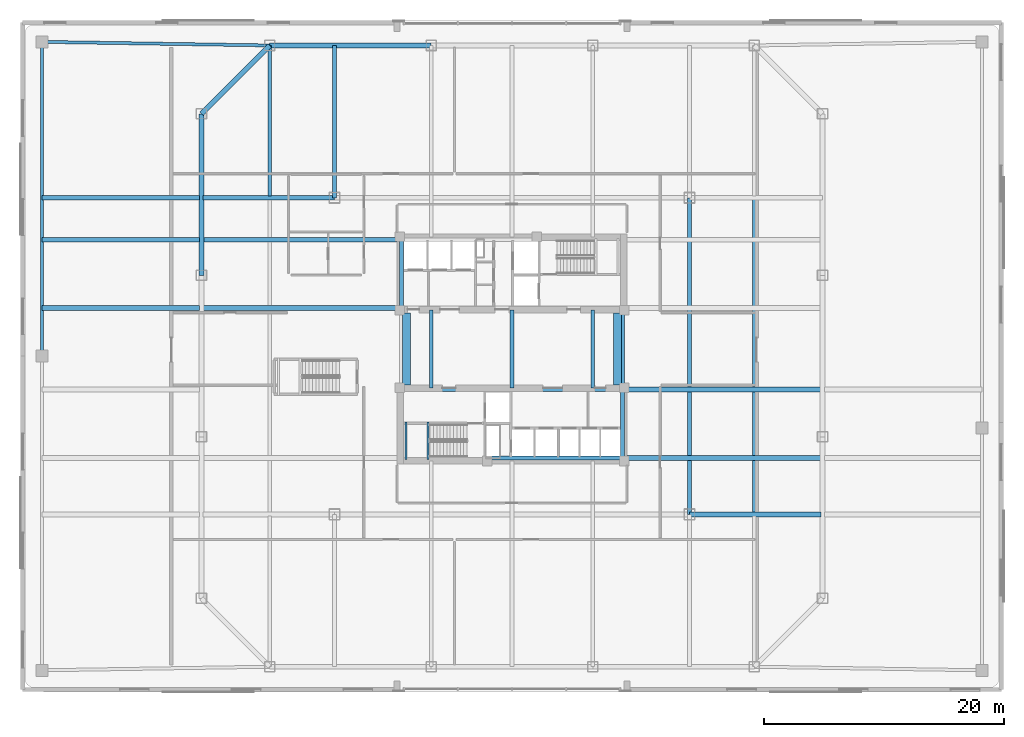
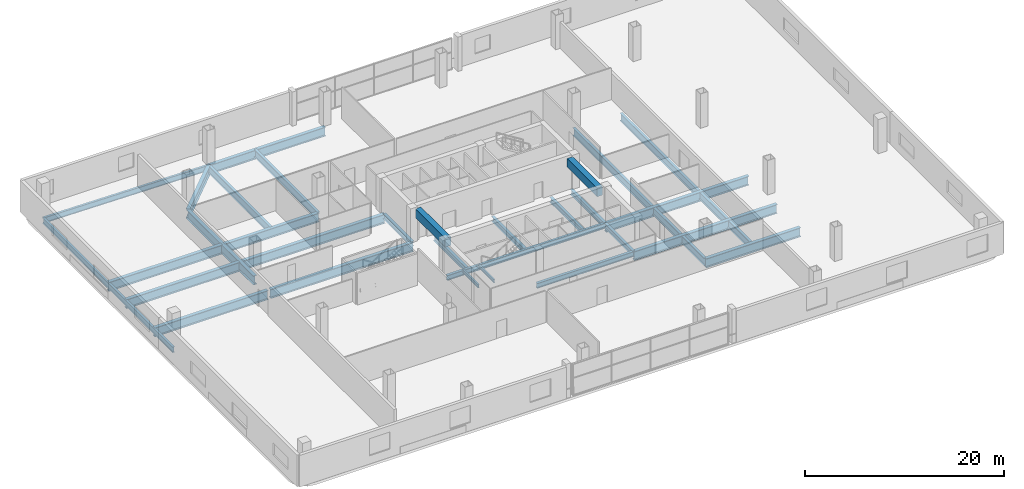
# One storey, part 7 of 21: 30 beams.
"""IFC4 building model written with IfcOpenShell, lengths in metres."""

from ifc_helpers import new_model, si_unit, direction, frame, origin, origin_2d, place, context, subcontext, project, spatial, rectangle, i_section, extrude, material, material_profile, profile_set, type_object, element, save


model = new_model("IFC4")

# Units and contexts
model_context = context("Model", 3, precision=1e-05, world=origin(), true_north=direction((0.0, 1.0)))
body_context = subcontext(model_context, "Body", "Model", "MODEL_VIEW")
ifc_project = project(units=[si_unit("LENGTHUNIT", "METRE"), si_unit("AREAUNIT", "SQUARE_METRE"), si_unit("VOLUMEUNIT", "CUBIC_METRE"), si_unit("PLANEANGLEUNIT", "RADIAN"), si_unit("MASSUNIT", "GRAM", prefix="KILO")], contexts=[model_context])

# Site, building, storey
site_placement = place(None, origin())
site = spatial("IfcSite", under=ifc_project, at=site_placement, CompositionType="ELEMENT")
building_placement = place(site_placement, origin())
building = spatial("IfcBuilding", under=site, at=building_placement, Name="Qhalaya Broadcast Tower", CompositionType="ELEMENT")
storey_placement = place(building_placement, frame((0.0, 0.0, 13.5)))
storey = spatial("IfcBuildingStorey", under=building, at=storey_placement, Name="L03", CompositionType="ELEMENT", Elevation=13.5)

# Beams
ifc_material_1 = material(Name="Structural Steel ASTM A992 Grade 50", Category="steel")
ifc_material_profile_1 = material_profile(ifc_material_1, i_section(OverallWidth=0.323974609375, OverallDepth=0.612060546875, WebThickness=0.0126953125, FlangeThickness=0.01904296875, at=origin_2d()), Name="W24X104")
ifc_profile_set_1 = profile_set([ifc_material_profile_1], Name="Structural Steel ASTM A992 Grade 50")
beam_type_1 = type_object("IfcBeamType", Name="Core Frame Tie Beam B04", PredefinedType="BEAM", material=ifc_profile_set_1)
beam_1_placement = place(storey_placement, frame((-9.199951171875, 4.0, -0.6259765625), z_axis=(0.0, 1.0, 0.0), x_axis=(-1.0, 0.0, 0.0)))
element("IfcBeam", 1, at=beam_1_placement, inside=storey, type_object=beam_type_1, Name="L03 B04 L03-CCN2", PredefinedType="BEAM", context=body_context, shape_type="SweptSolid", body=[
    extrude(i_section(OverallWidth=0.323974609375, OverallDepth=0.612060546875, WebThickness=0.0126953125, FlangeThickness=0.01904296875, at=origin_2d()), origin(), (0.0, 0.0, 1.0), 5.699951171875),
])
beam_2_placement = place(storey_placement, frame((-9.199951171875, -2.800048828125, -0.6259765625), z_axis=(1.0, 0.0, 0.0), x_axis=(0.0, 1.0, 0.0)))
element("IfcBeam", 2, at=beam_2_placement, inside=storey, type_object=beam_type_1, Name="L03 B04 L03-CCS1", PredefinedType="BEAM", context=body_context, shape_type="SweptSolid", body=[
    extrude(i_section(OverallWidth=0.323974609375, OverallDepth=0.612060546875, WebThickness=0.0126953125, FlangeThickness=0.01904296875, at=origin_2d()), origin(), (0.0, 0.0, 1.0), 18.39990234375),
])
beam_3_placement = place(storey_placement, frame((9.199951171875, -8.5, -0.6259765625), z_axis=(0.0, 1.0, 0.0), x_axis=(-1.0, 0.0, 0.0)))
element("IfcBeam", 3, at=beam_3_placement, inside=storey, type_object=beam_type_1, Name="L03 B04 L03-CCS2", PredefinedType="BEAM", context=body_context, shape_type="SweptSolid", body=[
    extrude(i_section(OverallWidth=0.323974609375, OverallDepth=0.612060546875, WebThickness=0.0126953125, FlangeThickness=0.01904296875, at=origin_2d()), origin(), (0.0, 0.0, 1.0), 5.699951171875),
])
beam_4_placement = place(storey_placement, frame((-2.050048828125, -8.5, -0.6259765625), z_axis=(1.0, 0.0, 0.0), x_axis=(0.0, 1.0, 0.0)))
element("IfcBeam", 4, at=beam_4_placement, inside=storey, type_object=beam_type_1, Name="L03 B04 L03-CCS3", PredefinedType="BEAM", context=body_context, shape_type="SweptSolid", body=[
    extrude(i_section(OverallWidth=0.323974609375, OverallDepth=0.612060546875, WebThickness=0.0126953125, FlangeThickness=0.01904296875, at=origin_2d()), origin(), (0.0, 0.0, 1.0), 11.25),
])
beam_5_placement = place(storey_placement, frame((9.199951171875, -2.800048828125, -0.6259765625), z_axis=(0.0, 1.0, 0.0), x_axis=(-1.0, 0.0, 0.0)))
element("IfcBeam", 5, at=beam_5_placement, inside=storey, type_object=beam_type_1, Name="L03 B04 L03-CCE", PredefinedType="BEAM", context=body_context, shape_type="SweptSolid", body=[
    extrude(i_section(OverallWidth=0.323974609375, OverallDepth=0.612060546875, WebThickness=0.0126953125, FlangeThickness=0.01904296875, at=origin_2d()), origin(), (0.0, 0.0, 1.0), 6.800048828125),
])
for number, where, z_axis, x_axis, name in (
    (6, (-6.7333984375, -2.64990234375, -0.6259765625), (0.0, 1.0, 0.0), (-1.0, 0.0, 0.0), "L03 B04 L03-JS-CM-6.7"),
    (7, (0.0, -2.64990234375, -0.6259765625), (0.0, 1.0, 0.0), (-1.0, 0.0, 0.0), "L03 B04 L03-JS-CM+0.0"),
    (8, (6.7333984375, -2.64990234375, -0.6259765625), (0.0, 1.0, 0.0), (-1.0, 0.0, 0.0), "L03 B04 L03-JS-CM+6.7"),
):
    element("IfcBeam", number, at=place(storey_placement, frame(where, z_axis=z_axis, x_axis=x_axis)), inside=storey, type_object=beam_type_1, Name=name, PredefinedType="BEAM", context=body_context, shape_type="SweptSolid", body=[
        extrude(i_section(OverallWidth=0.323974609375, OverallDepth=0.612060546875, WebThickness=0.0126953125, FlangeThickness=0.01904296875, at=origin_2d()), origin(), (0.0, 0.0, 1.0), 6.5),
    ])
ifc_material_profile_2 = material_profile(ifc_material_1, i_section(OverallWidth=0.306884765625, OverallDepth=0.927001953125, WebThickness=0.019287109375, FlangeThickness=0.031982421875, at=origin_2d()), Name="W36X194")
ifc_profile_set_2 = profile_set([ifc_material_profile_2], Name="Structural Steel ASTM A992 Grade 50")
beam_type_2 = type_object("IfcBeamType", Name="Heavy Studio Floor Beam B01", PredefinedType="BEAM", material=ifc_profile_set_2)
beam_6_placement = place(storey_placement, frame((-20.199951171875, 13.340087890625, -0.783447265625), z_axis=(0.0, 1.0, 0.0), x_axis=(-1.0, 0.0, 0.0)))
element("IfcBeam", 9, at=beam_6_placement, inside=storey, type_object=beam_type_2, Name="L03 B01 L03-JS-N-20.2", PredefinedType="BEAM", context=body_context, shape_type="SweptSolid", body=[
    extrude(i_section(OverallWidth=0.306884765625, OverallDepth=0.927001953125, WebThickness=0.019287109375, FlangeThickness=0.031982421875, at=origin_2d()), origin(), (0.0, 0.0, 1.0), 12.559814453125),
])
beam_7_placement = place(storey_placement, frame((-14.800048828125, 13.199951171875, -0.783447265625), z_axis=(0.0, 1.0, 0.0), x_axis=(-1.0, 0.0, 0.0)))
element("IfcBeam", 10, at=beam_7_placement, inside=storey, type_object=beam_type_2, Name="L03 B01 L03-JS-N-14.8", PredefinedType="BEAM", context=body_context, shape_type="SweptSolid", body=[
    extrude(i_section(OverallWidth=0.306884765625, OverallDepth=0.927001953125, WebThickness=0.019287109375, FlangeThickness=0.031982421875, at=origin_2d()), origin(), (0.0, 0.0, 1.0), 12.699951171875),
])
beam_8_placement = place(storey_placement, frame((14.800048828125, -13.199951171875, -0.783447265625), z_axis=(0.0, 1.0, 0.0), x_axis=(-1.0, 0.0, 0.0)))
element("IfcBeam", 11, at=beam_8_placement, inside=storey, type_object=beam_type_2, Name="L03 B01 L03-JS-M+14.8", PredefinedType="BEAM", context=body_context, shape_type="SweptSolid", body=[
    extrude(i_section(OverallWidth=0.306884765625, OverallDepth=0.927001953125, WebThickness=0.019287109375, FlangeThickness=0.031982421875, at=origin_2d()), origin(), (0.0, 0.0, 1.0), 26.39990234375),
])
beam_9_placement = place(storey_placement, frame((20.199951171875, -13.06005859375, -0.783447265625), z_axis=(0.0, 1.0, 0.0), x_axis=(-1.0, 0.0, 0.0)))
element("IfcBeam", 12, at=beam_9_placement, inside=storey, type_object=beam_type_2, Name="L03 B01 L03-JS-M+20.2", PredefinedType="BEAM", context=body_context, shape_type="SweptSolid", body=[
    extrude(i_section(OverallWidth=0.306884765625, OverallDepth=0.927001953125, WebThickness=0.019287109375, FlangeThickness=0.031982421875, at=origin_2d()), origin(), (0.0, 0.0, 1.0), 26.1201171875),
])
ifc_material_profile_3 = material_profile(ifc_material_1, i_section(OverallWidth=0.25390625, OverallDepth=0.68310546875, WebThickness=0.012451171875, FlangeThickness=0.01904296875, at=origin_2d()), Name="W27X94")
ifc_profile_set_3 = profile_set([ifc_material_profile_3], Name="Structural Steel ASTM A992 Grade 50")
beam_type_3 = type_object("IfcBeamType", Name="Perimeter Ring Spandrel Beam SP1", PredefinedType="SPANDREL", material=ifc_profile_set_3)
beam_10_placement = place(storey_placement, frame((-39.199951171875, 26.199951171875, -0.66162109375), z_axis=(0.999875328998, -0.015790074776, 0.0), x_axis=(0.015790074776, 0.999875328998, 0.0)))
element("IfcBeam", 13, at=beam_10_placement, inside=storey, type_object=beam_type_3, Name="L03 SP1 L03-SP-N1", PredefinedType="SPANDREL", context=body_context, shape_type="SweptSolid", body=[
    extrude(i_section(OverallWidth=0.25390625, OverallDepth=0.68310546875, WebThickness=0.012451171875, FlangeThickness=0.01904296875, at=origin_2d()), origin(), (0.0, 0.0, 1.0), 19.00244140625),
])
beam_11_placement = place(storey_placement, frame((-39.199951171875, 0.0, -0.66162109375), z_axis=(0.0, 1.0, 0.0), x_axis=(-1.0, 0.0, 0.0)))
element("IfcBeam", 14, at=beam_11_placement, inside=storey, type_object=beam_type_3, Name="L03 SP1 L03-SP-W2", PredefinedType="SPANDREL", context=body_context, shape_type="SweptSolid", body=[
    extrude(i_section(OverallWidth=0.25390625, OverallDepth=0.68310546875, WebThickness=0.012451171875, FlangeThickness=0.01904296875, at=origin_2d()), origin(), (0.0, 0.0, 1.0), 26.199951171875),
])
ifc_material_profile_4 = material_profile(ifc_material_1, i_section(OverallWidth=0.404052734375, OverallDepth=1.117919921875, WebThickness=0.026123046875, FlangeThickness=0.044921875, at=origin_2d()), Name="W44X335")
ifc_profile_set_4 = profile_set([ifc_material_profile_4], Name="Structural Steel ASTM A992 Grade 50")
beam_type_4 = type_object("IfcBeamType", Name="Podium Long-Span Primary Girder PG1", PredefinedType="USERDEFINED", material=ifc_profile_set_4)
beam_12_placement = place(storey_placement, frame((-6.7333984375, 25.89990234375, -0.87890625), z_axis=(-1.0, 0.0, 0.0), x_axis=(0.0, -1.0, 0.0)))
element("IfcBeam", 15, at=beam_12_placement, inside=storey, type_object=beam_type_4, Name="L03 PG1 L03-PG-R11", ObjectType="GIRDER", PredefinedType="USERDEFINED", context=body_context, shape_type="SweptSolid", body=[
    extrude(i_section(OverallWidth=0.404052734375, OverallDepth=1.117919921875, WebThickness=0.026123046875, FlangeThickness=0.044921875, at=origin_2d()), origin(), (0.0, 0.0, 1.0), 13.466552734375),
])
beam_13_placement = place(storey_placement, frame((-20.199951171875, 25.89990234375, -0.87890625), z_axis=(-0.707106781187, -0.707106781187, 0.0), x_axis=(0.707106781187, -0.707106781187, 0.0)))
element("IfcBeam", 16, at=beam_13_placement, inside=storey, type_object=beam_type_4, Name="L03 PG1 L03-PG-R12", ObjectType="GIRDER", PredefinedType="USERDEFINED", context=body_context, shape_type="SweptSolid", body=[
    extrude(i_section(OverallWidth=0.404052734375, OverallDepth=1.117919921875, WebThickness=0.026123046875, FlangeThickness=0.044921875, at=origin_2d()), origin(), (0.0, 0.0, 1.0), 8.06103515625),
])
beam_14_placement = place(storey_placement, frame((-25.89990234375, 20.199951171875, -0.87890625), z_axis=(0.0, -1.0, 0.0), x_axis=(1.0, 0.0, 0.0)))
element("IfcBeam", 17, at=beam_14_placement, inside=storey, type_object=beam_type_4, Name="L03 PG1 L03-PG-R13", ObjectType="GIRDER", PredefinedType="USERDEFINED", context=body_context, shape_type="SweptSolid", body=[
    extrude(i_section(OverallWidth=0.404052734375, OverallDepth=1.117919921875, WebThickness=0.026123046875, FlangeThickness=0.044921875, at=origin_2d()), origin(), (0.0, 0.0, 1.0), 13.466552734375),
])
beam_15_placement = place(storey_placement, frame((14.800048828125, -13.199951171875, -0.87890625), z_axis=(1.0, 0.0, 0.0), x_axis=(0.0, 1.0, 0.0)))
element("IfcBeam", 18, at=beam_15_placement, inside=storey, type_object=beam_type_4, Name="L03 PG1 L03-PG-GS4", ObjectType="GIRDER", PredefinedType="USERDEFINED", context=body_context, shape_type="SweptSolid", body=[
    extrude(i_section(OverallWidth=0.404052734375, OverallDepth=1.117919921875, WebThickness=0.026123046875, FlangeThickness=0.044921875, at=origin_2d()), origin(), (0.0, 0.0, 1.0), 10.9599609375),
])
beam_16_placement = place(storey_placement, frame((-39.199951171875, 13.199951171875, -0.87890625), z_axis=(1.0, 0.0, 0.0), x_axis=(0.0, 1.0, 0.0)))
element("IfcBeam", 19, at=beam_16_placement, inside=storey, type_object=beam_type_4, Name="L03 PG1 L03-PG-GN1", ObjectType="GIRDER", PredefinedType="USERDEFINED", context=body_context, shape_type="SweptSolid", body=[
    extrude(i_section(OverallWidth=0.404052734375, OverallDepth=1.117919921875, WebThickness=0.026123046875, FlangeThickness=0.044921875, at=origin_2d()), origin(), (0.0, 0.0, 1.0), 13.159912109375),
])
beam_17_placement = place(storey_placement, frame((-25.760009765625, 13.199951171875, -0.87890625), z_axis=(1.0, 0.0, 0.0), x_axis=(0.0, 1.0, 0.0)))
element("IfcBeam", 20, at=beam_17_placement, inside=storey, type_object=beam_type_4, Name="L03 PG1 L03-PG-GN2", ObjectType="GIRDER", PredefinedType="USERDEFINED", context=body_context, shape_type="SweptSolid", body=[
    extrude(i_section(OverallWidth=0.404052734375, OverallDepth=1.117919921875, WebThickness=0.026123046875, FlangeThickness=0.044921875, at=origin_2d()), origin(), (0.0, 0.0, 1.0), 10.9599609375),
])
for number, where, z_axis, x_axis, name in (
    (21, (9.199951171875, -8.5, -0.87890625), (1.0, 0.0, 0.0), (0.0, 1.0, 0.0), "L03 PG1 L03-PG-E1A"),
    (22, (9.199951171875, -2.800048828125, -0.87890625), (1.0, 0.0, 0.0), (0.0, 1.0, 0.0), "L03 PG1 L03-PG-E2A"),
):
    element("IfcBeam", number, at=place(storey_placement, frame(where, z_axis=z_axis, x_axis=x_axis)), inside=storey, type_object=beam_type_4, Name=name, ObjectType="GIRDER", PredefinedType="USERDEFINED", context=body_context, shape_type="SweptSolid", body=[
        extrude(i_section(OverallWidth=0.404052734375, OverallDepth=1.117919921875, WebThickness=0.026123046875, FlangeThickness=0.044921875, at=origin_2d()), origin(), (0.0, 0.0, 1.0), 16.56005859375),
    ])
beam_18_placement = place(storey_placement, frame((-39.199951171875, 4.0, -0.87890625), z_axis=(1.0, 0.0, 0.0), x_axis=(0.0, 1.0, 0.0)))
element("IfcBeam", 23, at=beam_18_placement, inside=storey, type_object=beam_type_4, Name="L03 PG1 L03-PG-W3A", ObjectType="GIRDER", PredefinedType="USERDEFINED", context=body_context, shape_type="SweptSolid", body=[
    extrude(i_section(OverallWidth=0.404052734375, OverallDepth=1.117919921875, WebThickness=0.026123046875, FlangeThickness=0.044921875, at=origin_2d()), origin(), (0.0, 0.0, 1.0), 13.159912109375),
])
beam_19_placement = place(storey_placement, frame((-25.760009765625, 4.0, -0.87890625), z_axis=(1.0, 0.0, 0.0), x_axis=(0.0, 1.0, 0.0)))
element("IfcBeam", 24, at=beam_19_placement, inside=storey, type_object=beam_type_4, Name="L03 PG1 L03-PG-W3B", ObjectType="GIRDER", PredefinedType="USERDEFINED", context=body_context, shape_type="SweptSolid", body=[
    extrude(i_section(OverallWidth=0.404052734375, OverallDepth=1.117919921875, WebThickness=0.026123046875, FlangeThickness=0.044921875, at=origin_2d()), origin(), (0.0, 0.0, 1.0), 16.56005859375),
])
beam_20_placement = place(storey_placement, frame((-39.199951171875, 9.699951171875, -0.87890625), z_axis=(1.0, 0.0, 0.0), x_axis=(0.0, 1.0, 0.0)))
element("IfcBeam", 25, at=beam_20_placement, inside=storey, type_object=beam_type_4, Name="L03 PG1 L03-PG-W4A", ObjectType="GIRDER", PredefinedType="USERDEFINED", context=body_context, shape_type="SweptSolid", body=[
    extrude(i_section(OverallWidth=0.404052734375, OverallDepth=1.117919921875, WebThickness=0.026123046875, FlangeThickness=0.044921875, at=origin_2d()), origin(), (0.0, 0.0, 1.0), 13.159912109375),
])
beam_21_placement = place(storey_placement, frame((-25.760009765625, 9.699951171875, -0.87890625), z_axis=(1.0, 0.0, 0.0), x_axis=(0.0, 1.0, 0.0)))
element("IfcBeam", 26, at=beam_21_placement, inside=storey, type_object=beam_type_4, Name="L03 PG1 L03-PG-W4B", ObjectType="GIRDER", PredefinedType="USERDEFINED", context=body_context, shape_type="SweptSolid", body=[
    extrude(i_section(OverallWidth=0.404052734375, OverallDepth=1.117919921875, WebThickness=0.026123046875, FlangeThickness=0.044921875, at=origin_2d()), origin(), (0.0, 0.0, 1.0), 16.56005859375),
])
ifc_material_2 = material(Name="Concrete C60/75", Category="concrete")
ifc_material_profile_5 = material_profile(ifc_material_2, rectangle(XDim=0.64990234375, YDim=1.050048828125, at=origin_2d()), Name="RC-CB 650x1050")
ifc_profile_set_5 = profile_set([ifc_material_profile_5], Name="Concrete C60/75")
beam_type_5 = type_object("IfcBeamType", Name="Split-Core RC Coupling Lintel CB1", PredefinedType="LINTEL", material=ifc_profile_set_5)
for number, where, z_axis, x_axis, name in (
    (27, (-8.800048828125, -2.39990234375, 3.35498046875), (0.0, 1.0, 0.0), (-1.0, 0.0, 0.0), "L03 Core Coupling Lintel Beam W"),
    (28, (8.800048828125, -2.39990234375, 3.35498046875), (0.0, 1.0, 0.0), (-1.0, 0.0, 0.0), "L03 Core Coupling Lintel Beam E"),
):
    element("IfcBeam", number, at=place(storey_placement, frame(where, z_axis=z_axis, x_axis=x_axis)), inside=storey, type_object=beam_type_5, Name=name, PredefinedType="LINTEL", context=body_context, shape_type="SweptSolid", body=[
        extrude(rectangle(XDim=0.64990234375, YDim=1.050048828125, at=origin_2d()), origin(), (0.0, 0.0, 1.0), 6.0),
    ])
ifc_material_profile_6 = material_profile(ifc_material_1, i_section(OverallWidth=0.177978515625, OverallDepth=0.406005859375, WebThickness=0.0078125, FlangeThickness=0.0126953125, at=origin_2d()), Name="W16X40")
ifc_profile_set_6 = profile_set([ifc_material_profile_6], Name="Structural Steel ASTM A992 Grade 50")
beam_type_6 = type_object("IfcBeamType", Name="Upper Perimeter Spandrel Beam SP2", PredefinedType="SPANDREL", material=ifc_profile_set_6)
for number, where, z_axis, x_axis, name in (
    (29, (-8.830078125, -8.6201171875, 1.697021484375), (0.0, 1.0, 0.0), (-1.0, 0.0, 0.0), "L03 ST-2 Half-Landing Bearer Beam 1"),
    (30, (-7.014892578125, -8.6201171875, 1.697021484375), (0.0, 1.0, 0.0), (-1.0, 0.0, 0.0), "L03 ST-2 Half-Landing Bearer Beam 2"),
):
    element("IfcBeam", number, at=place(storey_placement, frame(where, z_axis=z_axis, x_axis=x_axis)), inside=storey, type_object=beam_type_6, Name=name, PredefinedType="SPANDREL", context=body_context, shape_type="SweptSolid", body=[
        extrude(i_section(OverallWidth=0.177978515625, OverallDepth=0.406005859375, WebThickness=0.0078125, FlangeThickness=0.0126953125, at=origin_2d()), origin(), (0.0, 0.0, 1.0), 3.1201171875),
    ])

save(model, "model.ifc")
